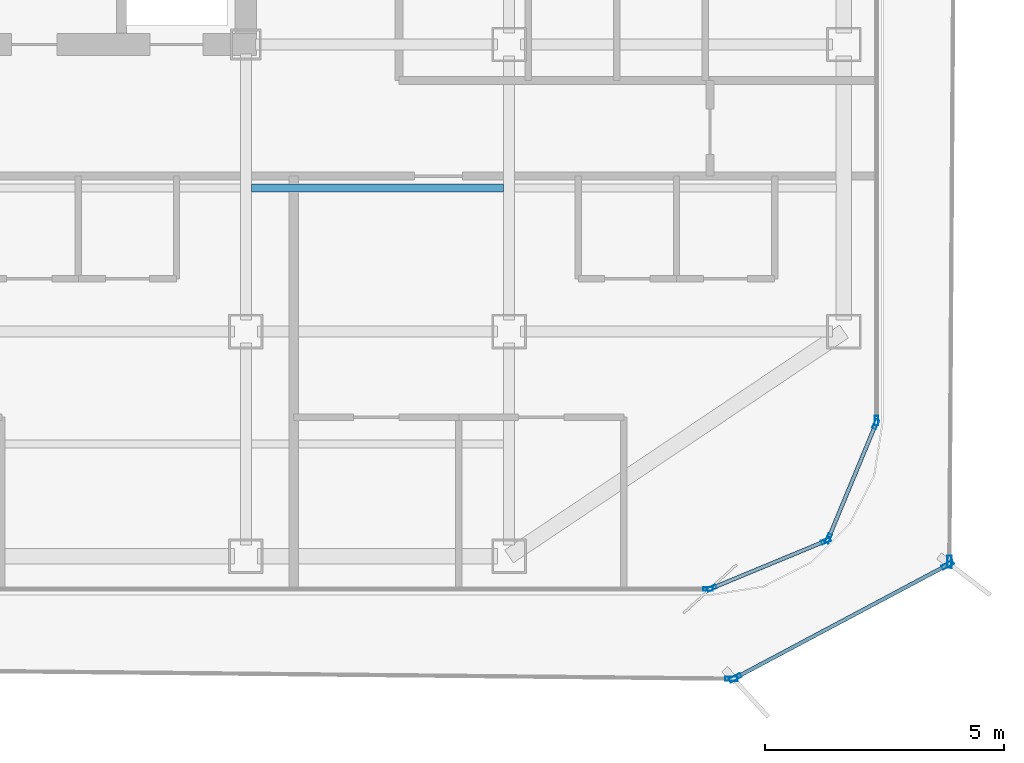
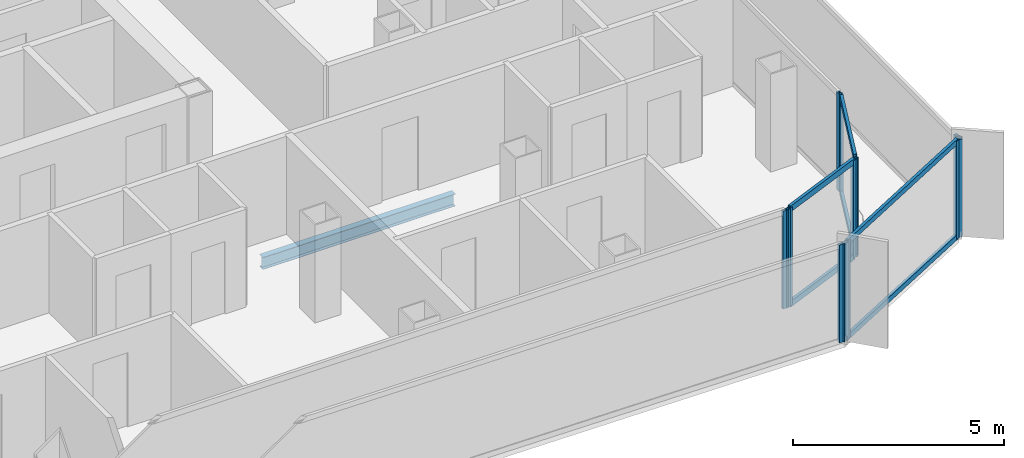
# One storey, part 4 of 16: 16 members, 1 beam, 7 elements without a shape of their own.
"""IFC4 building model written with IfcOpenShell, lengths in metres."""

from ifc_helpers import new_model, si_unit, direction, frame, origin, origin_2d, place, context, subcontext, project, spatial, hollow_rectangle, i_section, extrude, source, transform, mapped, material, layer, layer_set, material_profile, profile_set, type_object, element, aggregate, save


model = new_model("IFC4")

# Units and contexts
model_context = context("Model", 3, precision=1e-05, world=origin(), true_north=direction((0.0, 1.0)))
body_context = subcontext(model_context, "Body", "Model", "MODEL_VIEW")
ifc_project = project(units=[si_unit("LENGTHUNIT", "METRE"), si_unit("AREAUNIT", "SQUARE_METRE"), si_unit("VOLUMEUNIT", "CUBIC_METRE"), si_unit("PLANEANGLEUNIT", "RADIAN"), si_unit("MASSUNIT", "GRAM", prefix="KILO")], contexts=[model_context])

# Site, building, storey
site_placement = place(None, origin())
site = spatial("IfcSite", under=ifc_project, at=site_placement, CompositionType="ELEMENT")
building_placement = place(site_placement, origin())
building = spatial("IfcBuilding", under=site, at=building_placement, Name="Kolveth Station Tower", CompositionType="ELEMENT")
storey_placement = place(building_placement, frame((0.0, 0.0, 212.39990234375)))
storey = spatial("IfcBuildingStorey", under=building, at=storey_placement, Name="L60", CompositionType="ELEMENT", Elevation=212.39990234375)

# Beam
ifc_material_1 = material(Name="Steel S355", Category="steel")
ifc_material_profile_1 = material_profile(ifc_material_1, i_section(OverallWidth=0.1708984375, OverallDepth=0.35205078125, WebThickness=0.0068359375, FlangeThickness=0.009765625, at=origin_2d()), Name="W360x44")
ifc_profile_set_1 = profile_set([ifc_material_profile_1], Name="Steel S355")
beam_type = type_object("IfcBeamType", Name="Beam_J2", PredefinedType="JOIST", material=ifc_profile_set_1)
shared_shape_1 = source(origin(), body_context, "Body", "SweptSolid", [
    extrude(i_section(OverallWidth=0.1708984375, OverallDepth=0.35205078125, WebThickness=0.0068359375, FlangeThickness=0.009765625, at=origin_2d()), origin(), (0.0, 0.0, 1.0), 5.27490234375),
])
beam_placement = place(storey_placement, frame((28.612548828125, 8.5, -0.42578125), z_axis=(1.0, 0.0, 0.0), x_axis=(0.0, 1.0, 0.0)))
element("IfcBeam", 1, at=beam_placement, inside=storey, type_object=beam_type, Name="L60 Secondary Joist JST-L60-5-2", PredefinedType="JOIST", context=body_context, shape_type="MappedRepresentation", body=[
    mapped(shared_shape_1, transform((0.0, 0.0, 0.0), x_axis=(1.0, 0.0, 0.0), y_axis=(0.0, 1.0, 0.0), z_axis=(0.0, 0.0, 1.0), scale=1.0)),
])

# Curtain wall, members
ifc_material_2 = material(Name="Aluminium 6063-T6 and low-E dark glass", Category="aluminium")
ifc_layer_1 = layer(ifc_material_2, 0.18994140625)
ifc_layer_set_1 = layer_set([ifc_layer_1], Name="Aluminium 6063-T6 and low-E dark glass")
curtain_wall_type_1 = type_object("IfcCurtainWallType", Name="CurtainWall_CW-Z2", PredefinedType="NOTDEFINED", material=ifc_layer_set_1)
curtain_wall_1_placement = place(storey_placement, origin())
curtain_wall_1 = element("IfcCurtainWall", 2, at=curtain_wall_1_placement, inside=storey, type_object=curtain_wall_type_1, Name="L60 Inner Thermal Curtain Wall 1", PredefinedType="NOTDEFINED")
ifc_material_3 = material(Name="Black anodized aluminium 6063-T6", Category="aluminium")
ifc_material_profile_2 = material_profile(ifc_material_3, hollow_rectangle(XDim=0.080078125, YDim=0.199951171875, WallThickness=0.0048828125, at=origin_2d()), Name="ALU-80x200x5")
ifc_profile_set_2 = profile_set([ifc_material_profile_2], Name="Black anodized aluminium 6063-T6")
member_type_1 = type_object("IfcMemberType", Name="Mullion_ML2", PredefinedType="MULLION", material=ifc_profile_set_2)
shared_shape_2 = source(origin(), body_context, "Body", "SweptSolid", [
    extrude(hollow_rectangle(XDim=0.080078125, YDim=0.199951171875, WallThickness=0.0048828125, at=origin_2d()), origin(), (0.0, 0.0, 1.0), 2.840087890625),
])
member_1_placement = place(storey_placement, frame((38.237060546875, 0.13525390625, 0.0), z_axis=(0.0, 0.0, 1.0), x_axis=(-0.382697753087, 0.923873600544, 0.0)))
member_1 = element("IfcMember", 3, at=member_1_placement, type_object=member_type_1, Name="CW-Z2 mullion 1", PredefinedType="MULLION", context=body_context, shape_type="MappedRepresentation", body=[
    mapped(shared_shape_2, transform((0.0, 0.0, 0.0), x_axis=(1.0, 0.0, 0.0), y_axis=(0.0, 1.0, 0.0), z_axis=(0.0, 0.0, 1.0), scale=1.0)),
])
member_2_placement = place(storey_placement, frame((40.623779296875, 1.1240234375, 0.0), z_axis=(0.0, 0.0, 1.0), x_axis=(-0.382697753087, 0.923873600544, 0.0)))
member_2 = element("IfcMember", 4, at=member_2_placement, type_object=member_type_1, Name="CW-Z2 mullion 2", PredefinedType="MULLION", context=body_context, shape_type="MappedRepresentation", body=[
    mapped(shared_shape_2, transform((0.0, 0.0, 0.0), x_axis=(1.0, 0.0, 0.0), y_axis=(0.0, 1.0, 0.0), z_axis=(0.0, 0.0, 1.0), scale=1.0)),
])

curtain_wall_2_placement = place(storey_placement, origin())
curtain_wall_2 = element("IfcCurtainWall", 5, at=curtain_wall_2_placement, inside=storey, type_object=curtain_wall_type_1, Name="L60 Inner Thermal Curtain Wall 2", PredefinedType="NOTDEFINED")
member_3_placement = place(storey_placement, frame((40.676025390625, 1.17626953125, 0.0), z_axis=(0.0, 0.0, 1.0), x_axis=(-0.923873600544, 0.382697753087, 0.0)))
member_3 = element("IfcMember", 6, at=member_3_placement, type_object=member_type_1, Name="CW-Z2 mullion 1", PredefinedType="MULLION", context=body_context, shape_type="MappedRepresentation", body=[
    mapped(shared_shape_2, transform((0.0, 0.0, 0.0), x_axis=(1.0, 0.0, 0.0), y_axis=(0.0, 1.0, 0.0), z_axis=(0.0, 0.0, 1.0), scale=1.0)),
])
member_4_placement = place(storey_placement, frame((41.664794921875, 3.56298828125, 0.0), z_axis=(0.0, 0.0, 1.0), x_axis=(-0.923873600544, 0.382697753087, 0.0)))
member_4 = element("IfcMember", 7, at=member_4_placement, type_object=member_type_1, Name="CW-Z2 mullion 2", PredefinedType="MULLION", context=body_context, shape_type="MappedRepresentation", body=[
    mapped(shared_shape_2, transform((0.0, 0.0, 0.0), x_axis=(1.0, 0.0, 0.0), y_axis=(0.0, 1.0, 0.0), z_axis=(0.0, 0.0, 1.0), scale=1.0)),
])

# Curtain wall, member
curtain_wall_3_placement = place(storey_placement, origin())
curtain_wall_3 = element("IfcCurtainWall", 8, at=curtain_wall_3_placement, inside=storey, type_object=curtain_wall_type_1, Name="L60 Inner Thermal Curtain Wall 3", PredefinedType="NOTDEFINED")
member_5_placement = place(storey_placement, frame((41.679931640625, 3.639892578125, 0.0), z_axis=(0.0, 0.0, 1.0), x_axis=(-1.0, 0.0, 0.0)))
member_5 = element("IfcMember", 9, at=member_5_placement, type_object=member_type_1, Name="CW-Z2 mullion 1", PredefinedType="MULLION", context=body_context, shape_type="MappedRepresentation", body=[
    mapped(shared_shape_2, transform((0.0, 0.0, 0.0), x_axis=(1.0, 0.0, 0.0), y_axis=(0.0, 1.0, 0.0), z_axis=(0.0, 0.0, 1.0), scale=1.0)),
])
aggregate(curtain_wall_3, [member_5])

curtain_wall_4_placement = place(storey_placement, origin())
curtain_wall_4 = element("IfcCurtainWall", 10, at=curtain_wall_4_placement, inside=storey, type_object=curtain_wall_type_1, Name="L60 Inner Thermal Curtain Wall 12", PredefinedType="NOTDEFINED")
member_6_placement = place(storey_placement, frame((38.159912109375, 0.1201171875, 0.0), z_axis=(0.0, 0.0, 1.0), x_axis=(0.0, 1.0, 0.0)))
member_6 = element("IfcMember", 11, at=member_6_placement, type_object=member_type_1, Name="CW-Z2 mullion 2", PredefinedType="MULLION", context=body_context, shape_type="MappedRepresentation", body=[
    mapped(shared_shape_2, transform((0.0, 0.0, 0.0), x_axis=(1.0, 0.0, 0.0), y_axis=(0.0, 1.0, 0.0), z_axis=(0.0, 0.0, 1.0), scale=1.0)),
])
aggregate(curtain_wall_4, [member_6])

# Curtain wall, members
ifc_material_4 = material(Name="Black anodized aluminium 6063-T6 and dark solar glass", Category="aluminium")
ifc_layer_2 = layer(ifc_material_4, 0.159912109375)
ifc_layer_set_2 = layer_set([ifc_layer_2], Name="Black anodized aluminium 6063-T6 and dark solar glass")
curtain_wall_type_2 = type_object("IfcCurtainWallType", Name="OUTER SKIN CW-OS", PredefinedType="NOTDEFINED", material=ifc_layer_set_2)
curtain_wall_5_placement = place(storey_placement, origin())
curtain_wall_5 = element("IfcCurtainWall", 12, at=curtain_wall_5_placement, inside=storey, type_object=curtain_wall_type_2, Name="L60 Outer Ventilated Skin Curtain Wall 1", PredefinedType="NOTDEFINED")
ifc_material_profile_3 = material_profile(ifc_material_3, hollow_rectangle(XDim=0.090087890625, YDim=0.260009765625, WallThickness=0.0048828125, at=origin_2d()), Name="ALU-90x260x5")
ifc_profile_set_3 = profile_set([ifc_material_profile_3], Name="Black anodized aluminium 6063-T6")
member_type_2 = type_object("IfcMemberType", Name="FIN MULLION ML-OS", PredefinedType="MULLION", material=ifc_profile_set_3)
shared_shape_3 = source(origin(), body_context, "Body", "SweptSolid", [
    extrude(hollow_rectangle(XDim=0.090087890625, YDim=0.260009765625, WallThickness=0.0048828125, at=origin_2d()), origin(), (0.0, 0.0, 1.0), 2.840087890625),
])
member_7_placement = place(storey_placement, frame((38.731689453125, -1.738037109375, 0.0), z_axis=(0.0, 0.0, 1.0), x_axis=(-0.469767977268, 0.88278992265, 0.0)))
member_7 = element("IfcMember", 13, at=member_7_placement, type_object=member_type_2, Name="CW-OS mullion 1", PredefinedType="MULLION", context=body_context, shape_type="MappedRepresentation", body=[
    mapped(shared_shape_3, transform((0.0, 0.0, 0.0), x_axis=(1.0, 0.0, 0.0), y_axis=(0.0, 1.0, 0.0), z_axis=(0.0, 0.0, 1.0), scale=1.0)),
])
member_8_placement = place(storey_placement, frame((43.1669921875, 0.6220703125, 0.0), z_axis=(0.0, 0.0, 1.0), x_axis=(-0.469767977268, 0.88278992265, 0.0)))
member_8 = element("IfcMember", 14, at=member_8_placement, type_object=member_type_2, Name="CW-OS mullion 2", PredefinedType="MULLION", context=body_context, shape_type="MappedRepresentation", body=[
    mapped(shared_shape_3, transform((0.0, 0.0, 0.0), x_axis=(1.0, 0.0, 0.0), y_axis=(0.0, 1.0, 0.0), z_axis=(0.0, 0.0, 1.0), scale=1.0)),
])

# Curtain wall, member
curtain_wall_6_placement = place(storey_placement, origin())
curtain_wall_6 = element("IfcCurtainWall", 15, at=curtain_wall_6_placement, inside=storey, type_object=curtain_wall_type_2, Name="L60 Outer Ventilated Skin Curtain Wall 2", PredefinedType="NOTDEFINED")
member_9_placement = place(storey_placement, frame((43.206787109375, 0.688232421875, 0.0), z_axis=(0.0, 0.0, 1.0), x_axis=(-0.999977852896, 0.006655352613, 0.0)))
member_9 = element("IfcMember", 16, at=member_9_placement, type_object=member_type_2, Name="CW-OS mullion 1", PredefinedType="MULLION", context=body_context, shape_type="MappedRepresentation", body=[
    mapped(shared_shape_3, transform((0.0, 0.0, 0.0), x_axis=(1.0, 0.0, 0.0), y_axis=(0.0, 1.0, 0.0), z_axis=(0.0, 0.0, 1.0), scale=1.0)),
])
aggregate(curtain_wall_6, [member_9])

curtain_wall_7_placement = place(storey_placement, origin())
curtain_wall_7 = element("IfcCurtainWall", 17, at=curtain_wall_7_placement, inside=storey, type_object=curtain_wall_type_2, Name="L60 Outer Ventilated Skin Curtain Wall 8", PredefinedType="NOTDEFINED")
member_10_placement = place(storey_placement, frame((38.64697265625, -1.758544921875, 0.0), z_axis=(0.0, 0.0, 1.0), x_axis=(0.010179725976, 0.999948185247, 0.0)))
member_10 = element("IfcMember", 18, at=member_10_placement, type_object=member_type_2, Name="CW-OS mullion 2", PredefinedType="MULLION", context=body_context, shape_type="MappedRepresentation", body=[
    mapped(shared_shape_3, transform((0.0, 0.0, 0.0), x_axis=(1.0, 0.0, 0.0), y_axis=(0.0, 1.0, 0.0), z_axis=(0.0, 0.0, 1.0), scale=1.0)),
])
aggregate(curtain_wall_7, [member_10])

# Member
ifc_material_profile_4 = material_profile(ifc_material_3, hollow_rectangle(XDim=0.080078125, YDim=0.169921875, WallThickness=0.0048828125, at=origin_2d()), Name="ALU-80x170x5")
ifc_profile_set_4 = profile_set([ifc_material_profile_4], Name="Black anodized aluminium 6063-T6")
member_type_3 = type_object("IfcMemberType", Name="Transom_TR2", PredefinedType="USERDEFINED", material=ifc_profile_set_4)
shared_shape_4 = source(origin(), body_context, "Body", "SweptSolid", [
    extrude(hollow_rectangle(XDim=0.080078125, YDim=0.169921875, WallThickness=0.0048828125, at=origin_2d()), origin(), (0.0, 0.0, 1.0), 2.50341796875),
])
member_11_placement = place(storey_placement, frame((38.27392578125, 0.150634765625, 0.0400390625), z_axis=(0.923874190494, 0.382696328882, 0.0), x_axis=(-0.382696328882, 0.923874190494, 0.0)))
member_11 = element("IfcMember", 19, at=member_11_placement, type_object=member_type_3, Name="CW-Z2 transom 1.1", ObjectType="TRANSOM", PredefinedType="USERDEFINED", context=body_context, shape_type="MappedRepresentation", body=[
    mapped(shared_shape_4, transform((0.0, 0.0, 0.0), x_axis=(1.0, 0.0, 0.0), y_axis=(0.0, 1.0, 0.0), z_axis=(0.0, 0.0, 1.0), scale=1.0)),
])

member_12_placement = place(storey_placement, frame((38.27392578125, 0.150634765625, 2.800048828125), z_axis=(0.923874190494, 0.382696328882, 0.0), x_axis=(-0.382696328882, 0.923874190494, 0.0)))
member_12 = element("IfcMember", 20, at=member_12_placement, type_object=member_type_3, Name="CW-Z2 transom 1.2", ObjectType="TRANSOM", PredefinedType="USERDEFINED", context=body_context, shape_type="MappedRepresentation", body=[
    mapped(shared_shape_4, transform((0.0, 0.0, 0.0), x_axis=(1.0, 0.0, 0.0), y_axis=(0.0, 1.0, 0.0), z_axis=(0.0, 0.0, 1.0), scale=1.0)),
])

aggregate(curtain_wall_1, [member_1, member_2, member_11, member_12])

member_13_placement = place(storey_placement, frame((40.69140625, 1.213134765625, 0.0400390625), z_axis=(0.382661849723, 0.923888472039, 0.0), x_axis=(-0.923888472039, 0.382661849723, 0.0)))
member_13 = element("IfcMember", 21, at=member_13_placement, type_object=member_type_3, Name="CW-Z2 transom 1.1", ObjectType="TRANSOM", PredefinedType="USERDEFINED", context=body_context, shape_type="MappedRepresentation", body=[
    mapped(shared_shape_4, transform((0.0, 0.0, 0.0), x_axis=(1.0, 0.0, 0.0), y_axis=(0.0, 1.0, 0.0), z_axis=(0.0, 0.0, 1.0), scale=1.0)),
])

member_14_placement = place(storey_placement, frame((40.69140625, 1.213134765625, 2.800048828125), z_axis=(0.382661849723, 0.923888472039, 0.0), x_axis=(-0.923888472039, 0.382661849723, 0.0)))
member_14 = element("IfcMember", 22, at=member_14_placement, type_object=member_type_3, Name="CW-Z2 transom 1.2", ObjectType="TRANSOM", PredefinedType="USERDEFINED", context=body_context, shape_type="MappedRepresentation", body=[
    mapped(shared_shape_4, transform((0.0, 0.0, 0.0), x_axis=(1.0, 0.0, 0.0), y_axis=(0.0, 1.0, 0.0), z_axis=(0.0, 0.0, 1.0), scale=1.0)),
])

aggregate(curtain_wall_2, [member_3, member_4, member_13, member_14])

ifc_material_profile_5 = material_profile(ifc_material_3, hollow_rectangle(XDim=0.080078125, YDim=0.14990234375, WallThickness=0.0048828125, at=origin_2d()), Name="ALU-80x150x5")
ifc_profile_set_5 = profile_set([ifc_material_profile_5], Name="Black anodized aluminium 6063-T6")
member_type_4 = type_object("IfcMemberType", Name="Transom_TR-OS", PredefinedType="USERDEFINED", material=ifc_profile_set_5)
shared_shape_5 = source(origin(), body_context, "Body", "SweptSolid", [
    extrude(hollow_rectangle(XDim=0.080078125, YDim=0.14990234375, WallThickness=0.0048828125, at=origin_2d()), origin(), (0.0, 0.0, 1.0), 4.93408203125),
])
member_15_placement = place(storey_placement, frame((38.771484375, -1.716796875, 0.0400390625), z_axis=(0.882788131811, 0.469771342605, 0.0), x_axis=(-0.469771342605, 0.882788131811, 0.0)))
member_15 = element("IfcMember", 23, at=member_15_placement, type_object=member_type_4, Name="CW-OS transom 1.1", ObjectType="TRANSOM", PredefinedType="USERDEFINED", context=body_context, shape_type="MappedRepresentation", body=[
    mapped(shared_shape_5, transform((0.0, 0.0, 0.0), x_axis=(1.0, 0.0, 0.0), y_axis=(0.0, 1.0, 0.0), z_axis=(0.0, 0.0, 1.0), scale=1.0)),
])

member_16_placement = place(storey_placement, frame((38.771484375, -1.716796875, 2.800048828125), z_axis=(0.882788131811, 0.469771342605, 0.0), x_axis=(-0.469771342605, 0.882788131811, 0.0)))
member_16 = element("IfcMember", 24, at=member_16_placement, type_object=member_type_4, Name="CW-OS transom 1.2", ObjectType="TRANSOM", PredefinedType="USERDEFINED", context=body_context, shape_type="MappedRepresentation", body=[
    mapped(shared_shape_5, transform((0.0, 0.0, 0.0), x_axis=(1.0, 0.0, 0.0), y_axis=(0.0, 1.0, 0.0), z_axis=(0.0, 0.0, 1.0), scale=1.0)),
])

aggregate(curtain_wall_5, [member_7, member_8, member_15, member_16])

save(model, "model.ifc")
